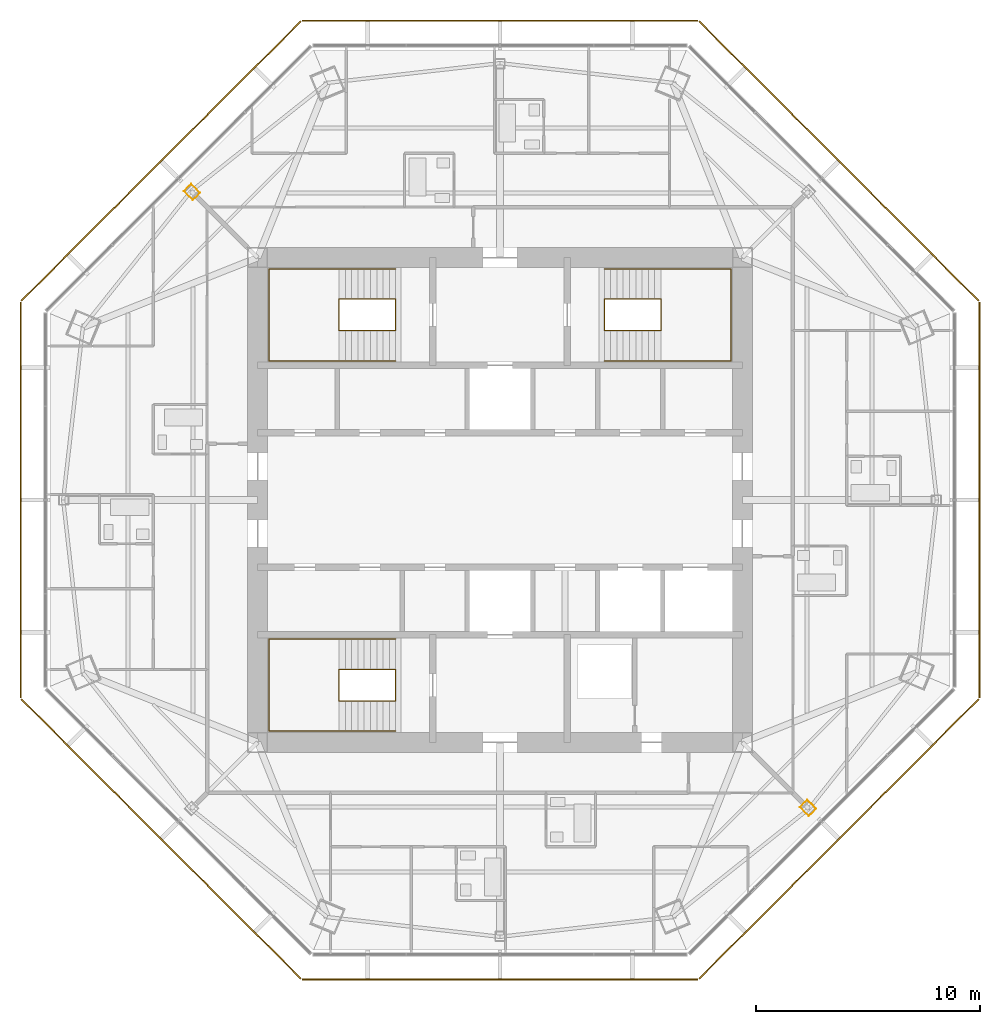
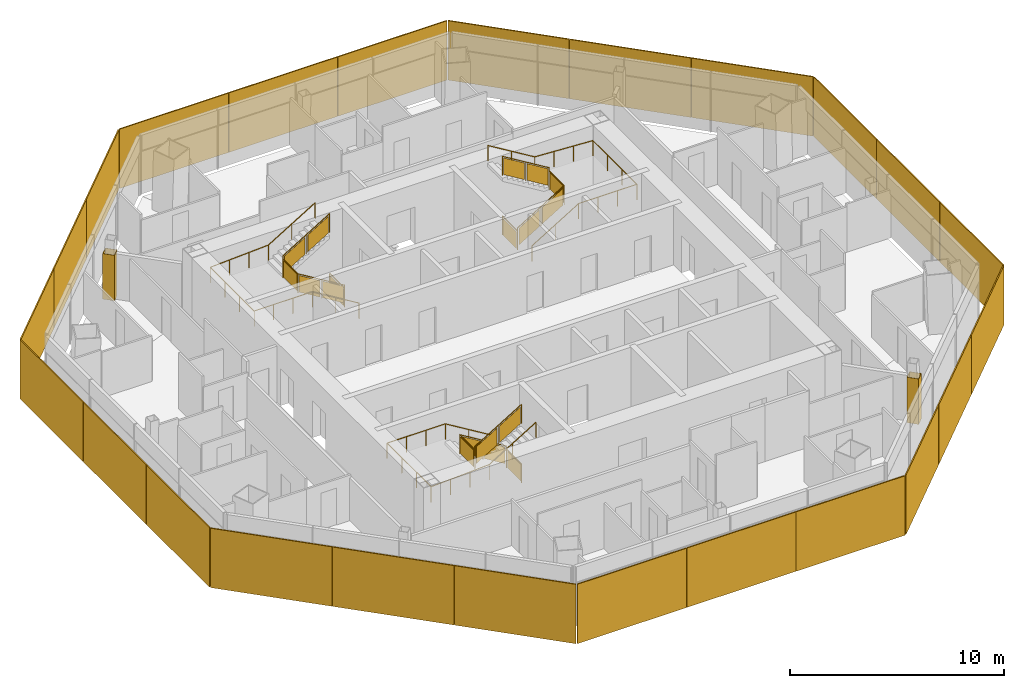
# One storey, part 14 of 15: 24 shading devices, 6 railings, 2 coverings.
"""IFC4 building model written with IfcOpenShell, lengths in metres."""

from ifc_helpers import new_model, si_unit, direction, frame, origin, origin_2d, place, context, subcontext, project, spatial, polyline, rectangle, circle, outline, extrude, source, transform, mapped, material, layer, layer_set, type_object, type_shapes, element, save


model = new_model("IFC4")

# Units and contexts
model_context = context("Model", 3, precision=1e-05, world=origin(), true_north=direction((0.0, 1.0)))
body_context = subcontext(model_context, "Body", "Model", "MODEL_VIEW")
ifc_project = project(units=[si_unit("LENGTHUNIT", "METRE"), si_unit("AREAUNIT", "SQUARE_METRE"), si_unit("VOLUMEUNIT", "CUBIC_METRE"), si_unit("PLANEANGLEUNIT", "RADIAN"), si_unit("MASSUNIT", "GRAM", prefix="KILO")], contexts=[model_context])

# Site, building, storey
site_placement = place(None, origin())
site = spatial("IfcSite", under=ifc_project, at=site_placement, CompositionType="ELEMENT")
building_placement = place(site_placement, origin())
building = spatial("IfcBuilding", under=site, at=building_placement, Name="Mashrafa Tower", CompositionType="ELEMENT")
storey_placement = place(building_placement, frame((0.0, 0.0, 274.199951171875)))
storey = spatial("IfcBuildingStorey", under=building, at=storey_placement, Name="L66", CompositionType="ELEMENT", Elevation=274.199951171875)

# Coverings
ifc_material_1 = material(Name="Gypsum board")
ifc_layer_1 = layer(ifc_material_1, 0.014892578125)
ifc_layer_set_1 = layer_set([ifc_layer_1], Name="Column casing plasterboard 15")
covering_type = type_object("IfcCoveringType", Name="Column casing plasterboard 15", PredefinedType="CLADDING", material=ifc_layer_set_1)
covering_1_placement = place(storey_placement, origin())
element("IfcCovering", 1, at=covering_1_placement, inside=storey, type_object=covering_type, Name="Column casing L66-001", PredefinedType="CLADDING", context=body_context, shape_type="SweptSolid", body=[
    extrude(outline(polyline([(-14.098388671875, 13.7587890625), (-13.7587890625, 14.098388671875), (-13.351318359375, 13.69091796875), (-13.69091796875, 13.351318359375), (-14.098388671875, 13.7587890625)]), holes=[polyline([(-13.37255859375, 13.69091796875), (-13.7587890625, 14.0771484375), (-14.0771484375, 13.7587890625), (-13.69091796875, 13.37255859375), (-13.37255859375, 13.69091796875)])]), origin(), (0.0, 0.0, 1.0), 2.590576171875),
])
covering_2_placement = place(storey_placement, origin())
element("IfcCovering", 2, at=covering_2_placement, inside=storey, type_object=covering_type, Name="Column casing L66-002", PredefinedType="CLADDING", context=body_context, shape_type="SweptSolid", body=[
    extrude(outline(polyline([(13.351318359375, -13.69091796875), (13.69091796875, -13.351318359375), (14.098388671875, -13.7587890625), (13.7587890625, -14.098388671875), (13.351318359375, -13.69091796875)]), holes=[polyline([(14.0771484375, -13.7587890625), (13.69091796875, -13.37255859375), (13.37255859375, -13.69091796875), (13.7587890625, -14.0771484375), (14.0771484375, -13.7587890625)])]), origin(), (0.0, 0.0, 1.0), 2.590576171875),
])

# Railings
ifc_material_2 = material(Name="Steel guard with glass infill", Category="steel")
railing_type_1 = type_object("IfcRailingType", Name="Stair guard 1100", PredefinedType="GUARDRAIL", material=ifc_material_2)
railing_1_placement = place(storey_placement, frame((-4.64990234375, 8.949951171875, 0.0)))
element("IfcRailing", 3, at=railing_1_placement, inside=storey, type_object=railing_type_1, Name="Stair S1 guard L66", PredefinedType="GUARDRAIL", context=body_context, shape_type="SweptSolid", body=[
    extrude(circle(Radius=0.02392578125, at=origin_2d()), frame((0.0, 0.0, 1.076171875), z_axis=(0.0, -1.0, 0.0), x_axis=(1.0, 0.0, 0.0)), (0.0, 0.0, 1.0), 1.39990234375),
    extrude(circle(Radius=0.02392578125, at=origin_2d()), frame((0.0, -1.39990234375, 1.076171875), z_axis=(0.0, 0.0, 1.0), x_axis=(1.0, 0.0, 0.0)), (0.0, 0.0, 1.0), 0.170166015625),
    extrude(circle(Radius=0.02392578125, at=origin_2d()), frame((0.0, -1.39990234375, 1.24609375), z_axis=(-0.854821627497, 0.0, 0.518921945155), x_axis=(0.0, -1.0, 0.0)), (0.0, 0.0, 1.0), 2.947998046875),
    extrude(circle(Radius=0.02392578125, at=origin_2d()), frame((-2.52001953125, -1.39990234375, 2.77587890625), z_axis=(0.0, 1.0, 0.0), x_axis=(-1.0, 0.0, 0.0)), (0.0, 0.0, 1.0), 1.39990234375),
    extrude(circle(Radius=0.02392578125, at=origin_2d()), frame((-2.52001953125, 0.0, 2.77587890625), z_axis=(0.0, 0.0, 1.0), x_axis=(1.0, 0.0, 0.0)), (0.0, 0.0, 1.0), 0.170166015625),
    extrude(circle(Radius=0.02392578125, at=origin_2d()), frame((-2.52001953125, 0.0, 2.9462890625), z_axis=(0.85478489116, 0.0, 0.518982456201), x_axis=(0.0, 1.0, 0.0)), (0.0, 0.0, 1.0), 2.9482421875),
    extrude(circle(Radius=0.02099609375, at=origin_2d()), origin(), (0.0, 0.0, 1.0), 1.052001953125),
    extrude(circle(Radius=0.02099609375, at=origin_2d()), frame((0.0, -1.39990234375, 0.0)), (0.0, 0.0, 1.0), 1.052001953125),
    extrude(circle(Radius=0.02099609375, at=origin_2d()), frame((0.0, -1.39990234375, 0.170166015625)), (0.0, 0.0, 1.0), 1.052001953125),
    extrude(circle(Radius=0.02099609375, at=origin_2d()), frame((-1.260009765625, -1.39990234375, 0.93505859375)), (0.0, 0.0, 1.0), 1.052001953125),
    extrude(circle(Radius=0.02099609375, at=origin_2d()), frame((-2.52001953125, -1.39990234375, 1.699951171875)), (0.0, 0.0, 1.0), 1.052001953125),
    extrude(circle(Radius=0.02099609375, at=origin_2d()), frame((-2.52001953125, 0.0, 1.699951171875)), (0.0, 0.0, 1.0), 1.052001953125),
    extrude(circle(Radius=0.02099609375, at=origin_2d()), frame((-2.52001953125, 0.0, 1.8701171875)), (0.0, 0.0, 1.0), 1.052001953125),
    extrude(circle(Radius=0.02099609375, at=origin_2d()), frame((-1.260009765625, 0.0, 2.63525390625)), (0.0, 0.0, 1.0), 1.052001953125),
    extrude(circle(Radius=0.02099609375, at=origin_2d()), frame((0.0, 0.0, 3.400146484375)), (0.0, 0.0, 1.0), 1.052001953125),
    extrude(outline(polyline([(0.071044921875, 0.050048828125), (1.328857421875, 0.050048828125), (1.328857421875, 1.001953125), (0.071044921875, 1.001953125), (0.071044921875, 0.050048828125)])), frame((-0.006103515625, 0.0, 0.0), z_axis=(-1.0, 0.0, 0.0), x_axis=(0.0, -1.0, 0.0)), (0.0, 0.0, 1.0), 0.011962890625),
    extrude(outline(polyline([(0.071044921875, 0.093017578125), (1.18896484375, 0.771728515625), (1.18896484375, 1.723876953125), (0.071044921875, 1.045166015625), (0.071044921875, 0.093017578125)])), frame((0.0, -1.393798828125, 0.170166015625), z_axis=(0.0, 1.0, 0.0), x_axis=(-1.0, 0.0, 0.0)), (0.0, 0.0, 1.0), 0.011962890625),
    extrude(outline(polyline([(1.3310546875, 0.85791015625), (2.448974609375, 1.53662109375), (2.448974609375, 2.48876953125), (1.3310546875, 1.81005859375), (1.3310546875, 0.85791015625)])), frame((0.0, -1.393798828125, 0.170166015625), z_axis=(0.0, 1.0, 0.0), x_axis=(-1.0, 0.0, 0.0)), (0.0, 0.0, 1.0), 0.011962890625),
    extrude(outline(polyline([(0.071044921875, 0.050048828125), (1.328857421875, 0.050048828125), (1.328857421875, 1.001953125), (0.071044921875, 1.001953125), (0.071044921875, 0.050048828125)])), frame((-2.513916015625, -1.39990234375, 1.699951171875), z_axis=(1.0, 0.0, 0.0), x_axis=(0.0, 1.0, 0.0)), (0.0, 0.0, 1.0), 0.011962890625),
    extrude(outline(polyline([(0.071044921875, 0.093017578125), (1.18896484375, 0.77197265625), (1.18896484375, 1.723876953125), (0.071044921875, 1.045166015625), (0.071044921875, 0.093017578125)])), frame((-2.52001953125, -0.006103515625, 1.8701171875), z_axis=(0.0, -1.0, 0.0), x_axis=(1.0, 0.0, 0.0)), (0.0, 0.0, 1.0), 0.011962890625),
    extrude(outline(polyline([(1.3310546875, 0.858154296875), (2.448974609375, 1.536865234375), (2.448974609375, 2.489013671875), (1.3310546875, 1.81005859375), (1.3310546875, 0.858154296875)])), frame((-2.52001953125, -0.006103515625, 1.8701171875), z_axis=(0.0, -1.0, 0.0), x_axis=(1.0, 0.0, 0.0)), (0.0, 0.0, 1.0), 0.011962890625),
])
railing_2_placement = place(storey_placement, frame((4.64990234375, 8.949951171875, 0.0)))
element("IfcRailing", 4, at=railing_2_placement, inside=storey, type_object=railing_type_1, Name="Stair S2 guard L66", PredefinedType="GUARDRAIL", context=body_context, shape_type="SweptSolid", body=[
    extrude(circle(Radius=0.02392578125, at=origin_2d()), frame((0.0, 0.0, 1.076171875), z_axis=(0.0, -1.0, 0.0), x_axis=(1.0, 0.0, 0.0)), (0.0, 0.0, 1.0), 1.39990234375),
    extrude(circle(Radius=0.02392578125, at=origin_2d()), frame((0.0, -1.39990234375, 1.076171875), z_axis=(0.0, 0.0, 1.0), x_axis=(1.0, 0.0, 0.0)), (0.0, 0.0, 1.0), 0.170166015625),
    extrude(circle(Radius=0.02392578125, at=origin_2d()), frame((0.0, -1.39990234375, 1.24609375), z_axis=(0.854821627497, 0.0, 0.518921945155), x_axis=(0.0, 1.0, 0.0)), (0.0, 0.0, 1.0), 2.947998046875),
    extrude(circle(Radius=0.02392578125, at=origin_2d()), frame((2.52001953125, -1.39990234375, 2.77587890625), z_axis=(0.0, 1.0, 0.0), x_axis=(-1.0, 0.0, 0.0)), (0.0, 0.0, 1.0), 1.39990234375),
    extrude(circle(Radius=0.02392578125, at=origin_2d()), frame((2.52001953125, 0.0, 2.77587890625), z_axis=(0.0, 0.0, 1.0), x_axis=(1.0, 0.0, 0.0)), (0.0, 0.0, 1.0), 0.170166015625),
    extrude(circle(Radius=0.02392578125, at=origin_2d()), frame((2.52001953125, 0.0, 2.9462890625), z_axis=(-0.85478489116, 0.0, 0.518982456201), x_axis=(0.0, -1.0, 0.0)), (0.0, 0.0, 1.0), 2.9482421875),
    extrude(circle(Radius=0.02099609375, at=origin_2d()), origin(), (0.0, 0.0, 1.0), 1.052001953125),
    extrude(circle(Radius=0.02099609375, at=origin_2d()), frame((0.0, -1.39990234375, 0.0)), (0.0, 0.0, 1.0), 1.052001953125),
    extrude(circle(Radius=0.02099609375, at=origin_2d()), frame((0.0, -1.39990234375, 0.170166015625)), (0.0, 0.0, 1.0), 1.052001953125),
    extrude(circle(Radius=0.02099609375, at=origin_2d()), frame((1.260009765625, -1.39990234375, 0.93505859375)), (0.0, 0.0, 1.0), 1.052001953125),
    extrude(circle(Radius=0.02099609375, at=origin_2d()), frame((2.52001953125, -1.39990234375, 1.699951171875)), (0.0, 0.0, 1.0), 1.052001953125),
    extrude(circle(Radius=0.02099609375, at=origin_2d()), frame((2.52001953125, 0.0, 1.699951171875)), (0.0, 0.0, 1.0), 1.052001953125),
    extrude(circle(Radius=0.02099609375, at=origin_2d()), frame((2.52001953125, 0.0, 1.8701171875)), (0.0, 0.0, 1.0), 1.052001953125),
    extrude(circle(Radius=0.02099609375, at=origin_2d()), frame((1.260009765625, 0.0, 2.63525390625)), (0.0, 0.0, 1.0), 1.052001953125),
    extrude(circle(Radius=0.02099609375, at=origin_2d()), frame((0.0, 0.0, 3.400146484375)), (0.0, 0.0, 1.0), 1.052001953125),
    extrude(outline(polyline([(0.071044921875, 0.050048828125), (1.328857421875, 0.050048828125), (1.328857421875, 1.001953125), (0.071044921875, 1.001953125), (0.071044921875, 0.050048828125)])), frame((-0.006103515625, 0.0, 0.0), z_axis=(-1.0, 0.0, 0.0), x_axis=(0.0, -1.0, 0.0)), (0.0, 0.0, 1.0), 0.011962890625),
    extrude(outline(polyline([(0.071044921875, 0.093017578125), (1.18896484375, 0.771728515625), (1.18896484375, 1.723876953125), (0.071044921875, 1.045166015625), (0.071044921875, 0.093017578125)])), frame((0.0, -1.406005859375, 0.170166015625), z_axis=(0.0, -1.0, 0.0), x_axis=(1.0, 0.0, 0.0)), (0.0, 0.0, 1.0), 0.011962890625),
    extrude(outline(polyline([(1.3310546875, 0.85791015625), (2.448974609375, 1.53662109375), (2.448974609375, 2.48876953125), (1.3310546875, 1.81005859375), (1.3310546875, 0.85791015625)])), frame((0.0, -1.406005859375, 0.170166015625), z_axis=(0.0, -1.0, 0.0), x_axis=(1.0, 0.0, 0.0)), (0.0, 0.0, 1.0), 0.011962890625),
    extrude(outline(polyline([(0.071044921875, 0.050048828125), (1.328857421875, 0.050048828125), (1.328857421875, 1.001953125), (0.071044921875, 1.001953125), (0.071044921875, 0.050048828125)])), frame((2.526123046875, -1.39990234375, 1.699951171875), z_axis=(1.0, 0.0, 0.0), x_axis=(0.0, 1.0, 0.0)), (0.0, 0.0, 1.0), 0.011962890625),
    extrude(outline(polyline([(0.071044921875, 0.093017578125), (1.18896484375, 0.77197265625), (1.18896484375, 1.723876953125), (0.071044921875, 1.045166015625), (0.071044921875, 0.093017578125)])), frame((2.52001953125, 0.006103515625, 1.8701171875), z_axis=(0.0, 1.0, 0.0), x_axis=(-1.0, 0.0, 0.0)), (0.0, 0.0, 1.0), 0.011962890625),
    extrude(outline(polyline([(1.3310546875, 0.858154296875), (2.448974609375, 1.536865234375), (2.448974609375, 2.489013671875), (1.3310546875, 1.81005859375), (1.3310546875, 0.858154296875)])), frame((2.52001953125, 0.006103515625, 1.8701171875), z_axis=(0.0, 1.0, 0.0), x_axis=(-1.0, 0.0, 0.0)), (0.0, 0.0, 1.0), 0.011962890625),
])
railing_3_placement = place(storey_placement, frame((-4.64990234375, -8.949951171875, 0.0)))
element("IfcRailing", 5, at=railing_3_placement, inside=storey, type_object=railing_type_1, Name="Stair S3 guard L66", PredefinedType="GUARDRAIL", context=body_context, shape_type="SweptSolid", body=[
    extrude(circle(Radius=0.02392578125, at=origin_2d()), frame((0.0, 0.0, 1.076171875), z_axis=(0.0, 1.0, 0.0), x_axis=(-1.0, 0.0, 0.0)), (0.0, 0.0, 1.0), 1.39990234375),
    extrude(circle(Radius=0.02392578125, at=origin_2d()), frame((0.0, 1.39990234375, 1.076171875), z_axis=(0.0, 0.0, 1.0), x_axis=(1.0, 0.0, 0.0)), (0.0, 0.0, 1.0), 0.170166015625),
    extrude(circle(Radius=0.02392578125, at=origin_2d()), frame((0.0, 1.39990234375, 1.24609375), z_axis=(-0.854821627497, 0.0, 0.518921945155), x_axis=(0.0, -1.0, 0.0)), (0.0, 0.0, 1.0), 2.947998046875),
    extrude(circle(Radius=0.02392578125, at=origin_2d()), frame((-2.52001953125, 1.39990234375, 2.77587890625), z_axis=(0.0, -1.0, 0.0), x_axis=(1.0, 0.0, 0.0)), (0.0, 0.0, 1.0), 1.39990234375),
    extrude(circle(Radius=0.02392578125, at=origin_2d()), frame((-2.52001953125, 0.0, 2.77587890625), z_axis=(0.0, 0.0, 1.0), x_axis=(1.0, 0.0, 0.0)), (0.0, 0.0, 1.0), 0.170166015625),
    extrude(circle(Radius=0.02392578125, at=origin_2d()), frame((-2.52001953125, 0.0, 2.9462890625), z_axis=(0.85478489116, 0.0, 0.518982456201), x_axis=(0.0, 1.0, 0.0)), (0.0, 0.0, 1.0), 2.9482421875),
    extrude(circle(Radius=0.02099609375, at=origin_2d()), origin(), (0.0, 0.0, 1.0), 1.052001953125),
    extrude(circle(Radius=0.02099609375, at=origin_2d()), frame((0.0, 1.39990234375, 0.0)), (0.0, 0.0, 1.0), 1.052001953125),
    extrude(circle(Radius=0.02099609375, at=origin_2d()), frame((0.0, 1.39990234375, 0.170166015625)), (0.0, 0.0, 1.0), 1.052001953125),
    extrude(circle(Radius=0.02099609375, at=origin_2d()), frame((-1.260009765625, 1.39990234375, 0.93505859375)), (0.0, 0.0, 1.0), 1.052001953125),
    extrude(circle(Radius=0.02099609375, at=origin_2d()), frame((-2.52001953125, 1.39990234375, 1.699951171875)), (0.0, 0.0, 1.0), 1.052001953125),
    extrude(circle(Radius=0.02099609375, at=origin_2d()), frame((-2.52001953125, 0.0, 1.699951171875)), (0.0, 0.0, 1.0), 1.052001953125),
    extrude(circle(Radius=0.02099609375, at=origin_2d()), frame((-2.52001953125, 0.0, 1.8701171875)), (0.0, 0.0, 1.0), 1.052001953125),
    extrude(circle(Radius=0.02099609375, at=origin_2d()), frame((-1.260009765625, 0.0, 2.63525390625)), (0.0, 0.0, 1.0), 1.052001953125),
    extrude(circle(Radius=0.02099609375, at=origin_2d()), frame((0.0, 0.0, 3.400146484375)), (0.0, 0.0, 1.0), 1.052001953125),
    extrude(outline(polyline([(0.071044921875, 0.050048828125), (1.328857421875, 0.050048828125), (1.328857421875, 1.001953125), (0.071044921875, 1.001953125), (0.071044921875, 0.050048828125)])), frame((0.006103515625, 0.0, 0.0), z_axis=(1.0, 0.0, 0.0), x_axis=(0.0, 1.0, 0.0)), (0.0, 0.0, 1.0), 0.011962890625),
    extrude(outline(polyline([(0.071044921875, 0.093017578125), (1.18896484375, 0.771728515625), (1.18896484375, 1.723876953125), (0.071044921875, 1.045166015625), (0.071044921875, 0.093017578125)])), frame((0.0, 1.406005859375, 0.170166015625), z_axis=(0.0, 1.0, 0.0), x_axis=(-1.0, 0.0, 0.0)), (0.0, 0.0, 1.0), 0.011962890625),
    extrude(outline(polyline([(1.3310546875, 0.85791015625), (2.448974609375, 1.53662109375), (2.448974609375, 2.48876953125), (1.3310546875, 1.81005859375), (1.3310546875, 0.85791015625)])), frame((0.0, 1.406005859375, 0.170166015625), z_axis=(0.0, 1.0, 0.0), x_axis=(-1.0, 0.0, 0.0)), (0.0, 0.0, 1.0), 0.011962890625),
    extrude(outline(polyline([(0.071044921875, 0.050048828125), (1.328857421875, 0.050048828125), (1.328857421875, 1.001953125), (0.071044921875, 1.001953125), (0.071044921875, 0.050048828125)])), frame((-2.526123046875, 1.39990234375, 1.699951171875), z_axis=(-1.0, 0.0, 0.0), x_axis=(0.0, -1.0, 0.0)), (0.0, 0.0, 1.0), 0.011962890625),
    extrude(outline(polyline([(0.071044921875, 0.093017578125), (1.18896484375, 0.77197265625), (1.18896484375, 1.723876953125), (0.071044921875, 1.045166015625), (0.071044921875, 0.093017578125)])), frame((-2.52001953125, -0.006103515625, 1.8701171875), z_axis=(0.0, -1.0, 0.0), x_axis=(1.0, 0.0, 0.0)), (0.0, 0.0, 1.0), 0.011962890625),
    extrude(outline(polyline([(1.3310546875, 0.858154296875), (2.448974609375, 1.536865234375), (2.448974609375, 2.489013671875), (1.3310546875, 1.81005859375), (1.3310546875, 0.858154296875)])), frame((-2.52001953125, -0.006103515625, 1.8701171875), z_axis=(0.0, -1.0, 0.0), x_axis=(1.0, 0.0, 0.0)), (0.0, 0.0, 1.0), 0.011962890625),
])
ifc_material_3 = material(Name="Steel", Category="steel")
railing_type_2 = type_object("IfcRailingType", Name="Stair handrail 900", PredefinedType="HANDRAIL", material=ifc_material_3)
railing_4_placement = place(storey_placement, frame((-4.64990234375, 6.199951171875, 0.170166015625)))
element("IfcRailing", 6, at=railing_4_placement, inside=storey, type_object=railing_type_2, Name="Stair S1 handrail L66", PredefinedType="HANDRAIL", context=body_context, shape_type="SweptSolid", body=[
    extrude(circle(Radius=0.02392578125, at=origin_2d()), frame((0.0, 0.0, 0.8759765625), z_axis=(-0.854821627497, 0.0, 0.518921945155), x_axis=(0.0, -1.0, 0.0)), (0.0, 0.0, 1.0), 2.947998046875),
    extrude(circle(Radius=0.02392578125, at=origin_2d()), frame((-2.52001953125, 0.0, 2.40576171875), z_axis=(-1.0, 0.0, 0.0), x_axis=(0.0, -1.0, 0.0)), (0.0, 0.0, 1.0), 3.130126953125),
    extrude(circle(Radius=0.02392578125, at=origin_2d()), frame((-5.650146484375, 0.0, 2.40576171875), z_axis=(0.0, 1.0, 0.0), x_axis=(-1.0, 0.0, 0.0)), (0.0, 0.0, 1.0), 4.10009765625),
    extrude(circle(Radius=0.02392578125, at=origin_2d()), frame((-5.650146484375, 4.10009765625, 2.40576171875), z_axis=(0.998525548763, 0.0, 0.054283777201), x_axis=(0.0, 1.0, 0.0)), (0.0, 0.0, 1.0), 3.134765625),
    extrude(circle(Radius=0.02392578125, at=origin_2d()), frame((-2.52001953125, 4.10009765625, 2.57568359375), z_axis=(0.85478489116, 0.0, 0.518982456201), x_axis=(0.0, 1.0, 0.0)), (0.0, 0.0, 1.0), 2.9482421875),
    extrude(circle(Radius=0.02099609375, at=origin_2d()), origin(), (0.0, 0.0, 1.0), 0.851806640625),
    extrude(circle(Radius=0.02099609375, at=origin_2d()), frame((-1.260009765625, 0.0, 0.764892578125)), (0.0, 0.0, 1.0), 0.851806640625),
    extrude(circle(Radius=0.02099609375, at=origin_2d()), frame((-2.52001953125, 0.0, 1.52978515625)), (0.0, 0.0, 1.0), 0.851806640625),
    extrude(circle(Radius=0.02099609375, at=origin_2d()), frame((-3.5634765625, 0.0, 1.52978515625)), (0.0, 0.0, 1.0), 0.851806640625),
    extrude(circle(Radius=0.02099609375, at=origin_2d()), frame((-4.606689453125, 0.0, 1.52978515625)), (0.0, 0.0, 1.0), 0.851806640625),
    extrude(circle(Radius=0.02099609375, at=origin_2d()), frame((-5.650146484375, 0.0, 1.52978515625)), (0.0, 0.0, 1.0), 0.851806640625),
    extrude(circle(Radius=0.02099609375, at=origin_2d()), frame((-5.650146484375, 1.36669921875, 1.52978515625)), (0.0, 0.0, 1.0), 0.851806640625),
    extrude(circle(Radius=0.02099609375, at=origin_2d()), frame((-5.650146484375, 2.7333984375, 1.52978515625)), (0.0, 0.0, 1.0), 0.851806640625),
    extrude(circle(Radius=0.02099609375, at=origin_2d()), frame((-5.650146484375, 4.10009765625, 1.52978515625)), (0.0, 0.0, 1.0), 0.851806640625),
    extrude(circle(Radius=0.02099609375, at=origin_2d()), frame((-4.606689453125, 4.10009765625, 1.58642578125)), (0.0, 0.0, 1.0), 0.851806640625),
    extrude(circle(Radius=0.02099609375, at=origin_2d()), frame((-3.5634765625, 4.10009765625, 1.643310546875)), (0.0, 0.0, 1.0), 0.851806640625),
    extrude(circle(Radius=0.02099609375, at=origin_2d()), frame((-2.52001953125, 4.10009765625, 1.699951171875)), (0.0, 0.0, 1.0), 0.851806640625),
    extrude(circle(Radius=0.02099609375, at=origin_2d()), frame((-1.260009765625, 4.10009765625, 2.46484375)), (0.0, 0.0, 1.0), 0.851806640625),
    extrude(circle(Radius=0.02099609375, at=origin_2d()), frame((0.0, 4.10009765625, 3.22998046875)), (0.0, 0.0, 1.0), 0.851806640625),
])
railing_5_placement = place(storey_placement, frame((4.64990234375, 6.199951171875, 0.170166015625)))
element("IfcRailing", 7, at=railing_5_placement, inside=storey, type_object=railing_type_2, Name="Stair S2 handrail L66", PredefinedType="HANDRAIL", context=body_context, shape_type="SweptSolid", body=[
    extrude(circle(Radius=0.02392578125, at=origin_2d()), frame((0.0, 0.0, 0.8759765625), z_axis=(0.854821627497, 0.0, 0.518921945155), x_axis=(0.0, 1.0, 0.0)), (0.0, 0.0, 1.0), 2.947998046875),
    extrude(circle(Radius=0.02392578125, at=origin_2d()), frame((2.52001953125, 0.0, 2.40576171875), z_axis=(1.0, 0.0, 0.0), x_axis=(0.0, 1.0, 0.0)), (0.0, 0.0, 1.0), 3.130126953125),
    extrude(circle(Radius=0.02392578125, at=origin_2d()), frame((5.650146484375, 0.0, 2.40576171875), z_axis=(0.0, 1.0, 0.0), x_axis=(-1.0, 0.0, 0.0)), (0.0, 0.0, 1.0), 4.10009765625),
    extrude(circle(Radius=0.02392578125, at=origin_2d()), frame((5.650146484375, 4.10009765625, 2.40576171875), z_axis=(-0.998525548763, 0.0, 0.054283777201), x_axis=(0.0, -1.0, 0.0)), (0.0, 0.0, 1.0), 3.134765625),
    extrude(circle(Radius=0.02392578125, at=origin_2d()), frame((2.52001953125, 4.10009765625, 2.57568359375), z_axis=(-0.85478489116, 0.0, 0.518982456201), x_axis=(0.0, -1.0, 0.0)), (0.0, 0.0, 1.0), 2.9482421875),
    extrude(circle(Radius=0.02099609375, at=origin_2d()), origin(), (0.0, 0.0, 1.0), 0.851806640625),
    extrude(circle(Radius=0.02099609375, at=origin_2d()), frame((1.260009765625, 0.0, 0.764892578125)), (0.0, 0.0, 1.0), 0.851806640625),
    extrude(circle(Radius=0.02099609375, at=origin_2d()), frame((2.52001953125, 0.0, 1.52978515625)), (0.0, 0.0, 1.0), 0.851806640625),
    extrude(circle(Radius=0.02099609375, at=origin_2d()), frame((3.5634765625, 0.0, 1.52978515625)), (0.0, 0.0, 1.0), 0.851806640625),
    extrude(circle(Radius=0.02099609375, at=origin_2d()), frame((4.606689453125, 0.0, 1.52978515625)), (0.0, 0.0, 1.0), 0.851806640625),
    extrude(circle(Radius=0.02099609375, at=origin_2d()), frame((5.650146484375, 0.0, 1.52978515625)), (0.0, 0.0, 1.0), 0.851806640625),
    extrude(circle(Radius=0.02099609375, at=origin_2d()), frame((5.650146484375, 1.36669921875, 1.52978515625)), (0.0, 0.0, 1.0), 0.851806640625),
    extrude(circle(Radius=0.02099609375, at=origin_2d()), frame((5.650146484375, 2.7333984375, 1.52978515625)), (0.0, 0.0, 1.0), 0.851806640625),
    extrude(circle(Radius=0.02099609375, at=origin_2d()), frame((5.650146484375, 4.10009765625, 1.52978515625)), (0.0, 0.0, 1.0), 0.851806640625),
    extrude(circle(Radius=0.02099609375, at=origin_2d()), frame((4.606689453125, 4.10009765625, 1.58642578125)), (0.0, 0.0, 1.0), 0.851806640625),
    extrude(circle(Radius=0.02099609375, at=origin_2d()), frame((3.5634765625, 4.10009765625, 1.643310546875)), (0.0, 0.0, 1.0), 0.851806640625),
    extrude(circle(Radius=0.02099609375, at=origin_2d()), frame((2.52001953125, 4.10009765625, 1.699951171875)), (0.0, 0.0, 1.0), 0.851806640625),
    extrude(circle(Radius=0.02099609375, at=origin_2d()), frame((1.260009765625, 4.10009765625, 2.46484375)), (0.0, 0.0, 1.0), 0.851806640625),
    extrude(circle(Radius=0.02099609375, at=origin_2d()), frame((0.0, 4.10009765625, 3.22998046875)), (0.0, 0.0, 1.0), 0.851806640625),
])
railing_6_placement = place(storey_placement, frame((-4.64990234375, -6.199951171875, 0.170166015625)))
element("IfcRailing", 8, at=railing_6_placement, inside=storey, type_object=railing_type_2, Name="Stair S3 handrail L66", PredefinedType="HANDRAIL", context=body_context, shape_type="SweptSolid", body=[
    extrude(circle(Radius=0.02392578125, at=origin_2d()), frame((0.0, 0.0, 0.8759765625), z_axis=(-0.854821627497, 0.0, 0.518921945155), x_axis=(0.0, -1.0, 0.0)), (0.0, 0.0, 1.0), 2.947998046875),
    extrude(circle(Radius=0.02392578125, at=origin_2d()), frame((-2.52001953125, 0.0, 2.40576171875), z_axis=(-1.0, 0.0, 0.0), x_axis=(0.0, -1.0, 0.0)), (0.0, 0.0, 1.0), 3.130126953125),
    extrude(circle(Radius=0.02392578125, at=origin_2d()), frame((-5.650146484375, 0.0, 2.40576171875), z_axis=(0.0, -1.0, 0.0), x_axis=(1.0, 0.0, 0.0)), (0.0, 0.0, 1.0), 4.10009765625),
    extrude(circle(Radius=0.02392578125, at=origin_2d()), frame((-5.650146484375, -4.10009765625, 2.40576171875), z_axis=(0.998525548763, 0.0, 0.054283777201), x_axis=(0.0, 1.0, 0.0)), (0.0, 0.0, 1.0), 3.134765625),
    extrude(circle(Radius=0.02392578125, at=origin_2d()), frame((-2.52001953125, -4.10009765625, 2.57568359375), z_axis=(0.85478489116, 0.0, 0.518982456201), x_axis=(0.0, 1.0, 0.0)), (0.0, 0.0, 1.0), 2.9482421875),
    extrude(circle(Radius=0.02099609375, at=origin_2d()), origin(), (0.0, 0.0, 1.0), 0.851806640625),
    extrude(circle(Radius=0.02099609375, at=origin_2d()), frame((-1.260009765625, 0.0, 0.764892578125)), (0.0, 0.0, 1.0), 0.851806640625),
    extrude(circle(Radius=0.02099609375, at=origin_2d()), frame((-2.52001953125, 0.0, 1.52978515625)), (0.0, 0.0, 1.0), 0.851806640625),
    extrude(circle(Radius=0.02099609375, at=origin_2d()), frame((-3.5634765625, 0.0, 1.52978515625)), (0.0, 0.0, 1.0), 0.851806640625),
    extrude(circle(Radius=0.02099609375, at=origin_2d()), frame((-4.606689453125, 0.0, 1.52978515625)), (0.0, 0.0, 1.0), 0.851806640625),
    extrude(circle(Radius=0.02099609375, at=origin_2d()), frame((-5.650146484375, 0.0, 1.52978515625)), (0.0, 0.0, 1.0), 0.851806640625),
    extrude(circle(Radius=0.02099609375, at=origin_2d()), frame((-5.650146484375, -1.36669921875, 1.52978515625)), (0.0, 0.0, 1.0), 0.851806640625),
    extrude(circle(Radius=0.02099609375, at=origin_2d()), frame((-5.650146484375, -2.7333984375, 1.52978515625)), (0.0, 0.0, 1.0), 0.851806640625),
    extrude(circle(Radius=0.02099609375, at=origin_2d()), frame((-5.650146484375, -4.10009765625, 1.52978515625)), (0.0, 0.0, 1.0), 0.851806640625),
    extrude(circle(Radius=0.02099609375, at=origin_2d()), frame((-4.606689453125, -4.10009765625, 1.58642578125)), (0.0, 0.0, 1.0), 0.851806640625),
    extrude(circle(Radius=0.02099609375, at=origin_2d()), frame((-3.5634765625, -4.10009765625, 1.643310546875)), (0.0, 0.0, 1.0), 0.851806640625),
    extrude(circle(Radius=0.02099609375, at=origin_2d()), frame((-2.52001953125, -4.10009765625, 1.699951171875)), (0.0, 0.0, 1.0), 0.851806640625),
    extrude(circle(Radius=0.02099609375, at=origin_2d()), frame((-1.260009765625, -4.10009765625, 2.46484375)), (0.0, 0.0, 1.0), 0.851806640625),
    extrude(circle(Radius=0.02099609375, at=origin_2d()), frame((0.0, -4.10009765625, 3.22998046875)), (0.0, 0.0, 1.0), 0.851806640625),
])

# Shading devices
ifc_material_4 = material(Name="Perforated aluminium plate, eight-point star pattern", Category="aluminium")
ifc_layer_2 = layer(ifc_material_4, 0.06005859375)
ifc_layer_set_2 = layer_set([ifc_layer_2], Name="Mashrabiya screen panel apartment zone 4, 22 percent open")
shading_device_type = type_object("IfcShadingDeviceType", Name="Mashrabiya screen panel apartment zone 4, 22 percent open", PredefinedType="SHUTTER", material=ifc_layer_set_2)
shared_shape = source(origin(), body_context, "Body", "SweptSolid", [
    extrude(rectangle(XDim=5.86279296875, YDim=0.06005859375, at=origin_2d()), origin(), (0.0, 0.0, 1.0), 3.3798828125),
])
type_shapes(shading_device_type, [shared_shape])
for number, where, z_axis, x_axis, name in (
    (9, (21.35791015625, -5.8828125, -0.14990234375), (0.0, 0.0, 1.0), (0.0, 1.0, 0.0), "Mashrabiya screen L66 east 1"),
    (10, (21.35791015625, 0.0, -0.14990234375), (0.0, 0.0, 1.0), (0.0, 1.0, 0.0), "Mashrabiya screen L66 east 2"),
    (11, (21.35791015625, 5.8828125, -0.14990234375), (0.0, 0.0, 1.0), (0.0, 1.0, 0.0), "Mashrabiya screen L66 east 3"),
    (12, (19.26220703125, 10.942626953125, -0.14990234375), (0.0, 0.0, 1.0), (-0.707106781187, 0.707106781187, 0.0), "Mashrabiya screen L66 north-east 1"),
    (13, (15.102294921875, 15.102294921875, -0.14990234375), (0.0, 0.0, 1.0), (-0.707106781187, 0.707106781187, 0.0), "Mashrabiya screen L66 north-east 2"),
    (14, (10.942626953125, 19.26220703125, -0.14990234375), (0.0, 0.0, 1.0), (-0.707106781187, 0.707106781187, 0.0), "Mashrabiya screen L66 north-east 3"),
    (15, (5.8828125, 21.35791015625, -0.14990234375), (0.0, 0.0, 1.0), (-1.0, 0.0, 0.0), "Mashrabiya screen L66 north 1"),
    (16, (0.0, 21.35791015625, -0.14990234375), (0.0, 0.0, 1.0), (-1.0, 0.0, 0.0), "Mashrabiya screen L66 north 2"),
    (17, (-5.8828125, 21.35791015625, -0.14990234375), (0.0, 0.0, 1.0), (-1.0, 0.0, 0.0), "Mashrabiya screen L66 north 3"),
    (18, (-10.942626953125, 19.26220703125, -0.14990234375), (0.0, 0.0, 1.0), (-0.707106781187, -0.707106781187, 0.0), "Mashrabiya screen L66 north-west 1"),
    (19, (-15.102294921875, 15.102294921875, -0.14990234375), (0.0, 0.0, 1.0), (-0.707106781187, -0.707106781187, 0.0), "Mashrabiya screen L66 north-west 2"),
    (20, (-19.26220703125, 10.942626953125, -0.14990234375), (0.0, 0.0, 1.0), (-0.707106781187, -0.707106781187, 0.0), "Mashrabiya screen L66 north-west 3"),
    (21, (-21.35791015625, 5.8828125, -0.14990234375), (0.0, 0.0, 1.0), (0.0, -1.0, 0.0), "Mashrabiya screen L66 west 1"),
    (22, (-21.35791015625, 0.0, -0.14990234375), (0.0, 0.0, 1.0), (0.0, -1.0, 0.0), "Mashrabiya screen L66 west 2"),
    (23, (-21.35791015625, -5.8828125, -0.14990234375), (0.0, 0.0, 1.0), (0.0, -1.0, 0.0), "Mashrabiya screen L66 west 3"),
    (24, (-19.26220703125, -10.942626953125, -0.14990234375), (0.0, 0.0, 1.0), (0.707106781187, -0.707106781187, 0.0), "Mashrabiya screen L66 south-west 1"),
    (25, (-15.102294921875, -15.102294921875, -0.14990234375), (0.0, 0.0, 1.0), (0.707106781187, -0.707106781187, 0.0), "Mashrabiya screen L66 south-west 2"),
    (26, (-10.942626953125, -19.26220703125, -0.14990234375), (0.0, 0.0, 1.0), (0.707106781187, -0.707106781187, 0.0), "Mashrabiya screen L66 south-west 3"),
    (27, (-5.8828125, -21.35791015625, -0.14990234375), (0.0, 0.0, 1.0), (1.0, 0.0, 0.0), "Mashrabiya screen L66 south 1"),
    (28, (0.0, -21.35791015625, -0.14990234375), (0.0, 0.0, 1.0), (1.0, 0.0, 0.0), "Mashrabiya screen L66 south 2"),
    (29, (5.8828125, -21.35791015625, -0.14990234375), (0.0, 0.0, 1.0), (1.0, 0.0, 0.0), "Mashrabiya screen L66 south 3"),
    (30, (10.942626953125, -19.26220703125, -0.14990234375), (0.0, 0.0, 1.0), (0.707106781187, 0.707106781187, 0.0), "Mashrabiya screen L66 south-east 1"),
    (31, (15.102294921875, -15.102294921875, -0.14990234375), (0.0, 0.0, 1.0), (0.707106781187, 0.707106781187, 0.0), "Mashrabiya screen L66 south-east 2"),
    (32, (19.26220703125, -10.942626953125, -0.14990234375), (0.0, 0.0, 1.0), (0.707106781187, 0.707106781187, 0.0), "Mashrabiya screen L66 south-east 3"),
):
    element("IfcShadingDevice", number, at=place(storey_placement, frame(where, z_axis=z_axis, x_axis=x_axis)), inside=storey, type_object=shading_device_type, Name=name, PredefinedType="SHUTTER", context=body_context, shape_type="MappedRepresentation", body=[
        mapped(shared_shape, transform((0.0, 0.0, 0.0))),
    ])

save(model, "model.ifc")
